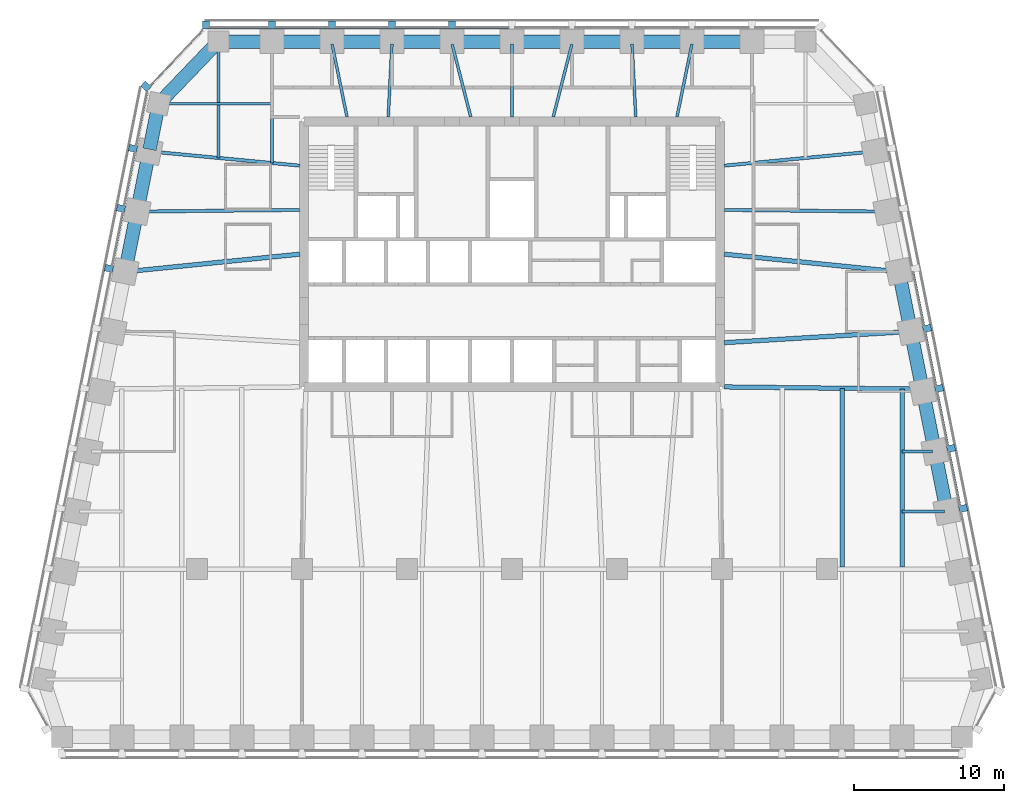
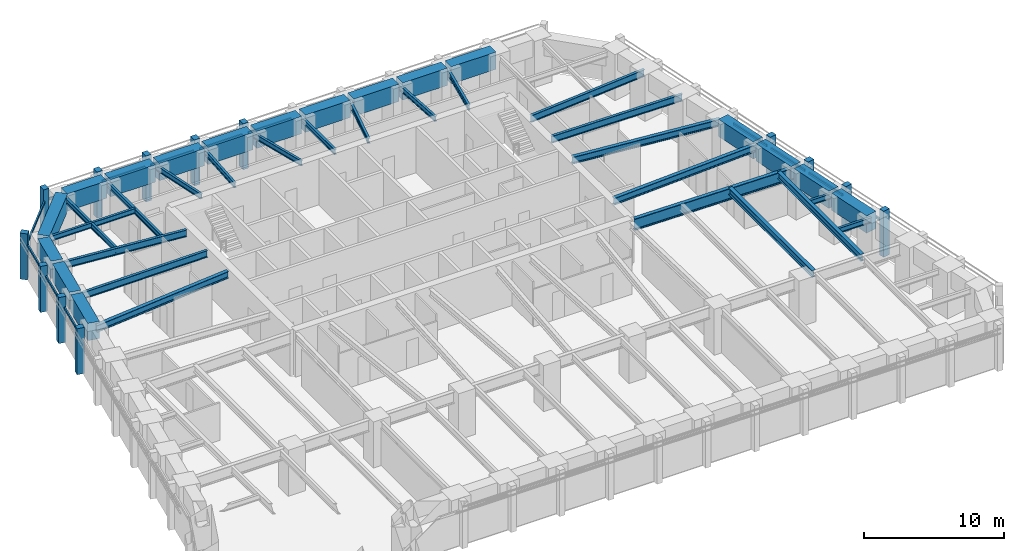
# One storey, part 3 of 10: 39 beams, 26 members, 4 elements without a shape of their own.
"""IFC4 building model written with IfcOpenShell, lengths in metres."""

from ifc_helpers import new_model, si_unit, direction, frame, origin, origin_2d, place, context, subcontext, project, spatial, rectangle, i_section, extrude, material, material_profile, profile_set, type_object, element, aggregate, save


model = new_model("IFC4")

# Units and contexts
model_context = context("Model", 3, precision=1e-05, world=origin(), true_north=direction((0.0, 1.0)))
body_context = subcontext(model_context, "Body", "Model", "MODEL_VIEW")
ifc_project = project(units=[si_unit("LENGTHUNIT", "METRE"), si_unit("AREAUNIT", "SQUARE_METRE"), si_unit("VOLUMEUNIT", "CUBIC_METRE"), si_unit("PLANEANGLEUNIT", "RADIAN"), si_unit("MASSUNIT", "GRAM", prefix="KILO")], contexts=[model_context])

# Site, building, storey
site_placement = place(None, origin())
site = spatial("IfcSite", under=ifc_project, at=site_placement, CompositionType="ELEMENT")
building_placement = place(site_placement, origin())
building = spatial("IfcBuilding", under=site, at=building_placement, Name="Isbrekke Arena Tower", CompositionType="ELEMENT")
storey_placement = place(building_placement, frame((0.0, 0.0, 214.0)))
storey = spatial("IfcBuildingStorey", under=building, at=storey_placement, Name="L49", CompositionType="ELEMENT", Elevation=214.0)

# Beams
ifc_material_1 = material(Name="Steel S355", Category="steel")
ifc_material_profile_1 = material_profile(ifc_material_1, i_section(OverallWidth=0.219970703125, OverallDepth=0.60009765625, WebThickness=0.011962890625, FlangeThickness=0.01904296875, FilletRadius=0.02392578125, at=origin_2d()), Name="IPE 600")
ifc_profile_set_1 = profile_set([ifc_material_profile_1], Name="Steel S355")
beam_type_1 = type_object("IfcBeamType", Name="B1 IPE 600", PredefinedType="BEAM", material=ifc_profile_set_1)
beam_1_placement = place(storey_placement, frame((24.83984375, 17.838134765625, 3.550048828125), z_axis=(-0.999945299061, 0.010459392202, 0.0), x_axis=(-0.010459392202, -0.999945299061, 0.0)))
element("IfcBeam", 1, at=beam_1_placement, inside=storey, type_object=beam_type_1, Name="B1 beam E-E09 L49", PredefinedType="BEAM", context=body_context, shape_type="SweptSolid", body=[
    extrude(i_section(OverallWidth=0.219970703125, OverallDepth=0.60009765625, WebThickness=0.011962890625, FlangeThickness=0.01904296875, FilletRadius=0.02392578125, at=origin_2d()), origin(), (0.0, 0.0, 1.0), 10.6904296875),
])
for number, where, z_axis, x_axis, name in (
    (2, (24.03076171875, 21.837158203125, 3.550048828125), (-0.99553133081, -0.094431823952, 0.0), (0.094431823952, -0.99553133081, 0.0), "B1 beam E-E10 L49"),
    (3, (-24.03076171875, 21.837158203125, 3.550048828125), (0.99553133081, -0.094431823952, 0.0), (0.094431823952, 0.99553133081, 0.0), "B1 beam E-W02 L49"),
):
    element("IfcBeam", number, at=place(storey_placement, frame(where, z_axis=z_axis, x_axis=x_axis)), inside=storey, type_object=beam_type_1, Name=name, PredefinedType="BEAM", context=body_context, shape_type="SweptSolid", body=[
        extrude(i_section(OverallWidth=0.219970703125, OverallDepth=0.60009765625, WebThickness=0.011962890625, FlangeThickness=0.01904296875, FilletRadius=0.02392578125, at=origin_2d()), origin(), (0.0, 0.0, 1.0), 9.92529296875),
    ])
beam_2_placement = place(storey_placement, frame((-24.83984375, 17.838134765625, 3.550048828125), z_axis=(0.999945299061, 0.010459392202, 0.0), x_axis=(-0.010459392202, 0.999945299061, 0.0)))
element("IfcBeam", 4, at=beam_2_placement, inside=storey, type_object=beam_type_1, Name="B1 beam E-W03 L49", PredefinedType="BEAM", context=body_context, shape_type="SweptSolid", body=[
    extrude(i_section(OverallWidth=0.219970703125, OverallDepth=0.60009765625, WebThickness=0.011962890625, FlangeThickness=0.01904296875, FilletRadius=0.02392578125, at=origin_2d()), origin(), (0.0, 0.0, 1.0), 10.6904296875),
])
ifc_material_2 = material(Name="Steel S355", Category="steel")
ifc_material_profile_2 = material_profile(ifc_material_2, i_section(OverallWidth=0.18994140625, OverallDepth=0.449951171875, WebThickness=0.009521484375, FlangeThickness=0.0146484375, FilletRadius=0.02099609375, at=origin_2d()), Name="IPE 450")
ifc_profile_set_2 = profile_set([ifc_material_profile_2], Name="Steel S355")
beam_type_2 = type_object("IfcBeamType", Name="B2 IPE 450", PredefinedType="BEAM", material=ifc_profile_set_2)
beam_3_placement = place(storey_placement, frame((28.841064453125, -2.161865234375, 3.625), z_axis=(-1.0, 0.0, 0.0), x_axis=(0.0, -1.0, 0.0)))
element("IfcBeam", 5, at=beam_3_placement, inside=storey, type_object=beam_type_2, Name="B2 beam E-E04 L49", PredefinedType="BEAM", context=body_context, shape_type="SweptSolid", body=[
    extrude(i_section(OverallWidth=0.18994140625, OverallDepth=0.449951171875, WebThickness=0.009521484375, FlangeThickness=0.0146484375, FilletRadius=0.02099609375, at=origin_2d()), origin(), (0.0, 0.0, 1.0), 2.841064453125),
])
beam_4_placement = place(storey_placement, frame((28.041015625, 1.838134765625, 3.625), z_axis=(-1.0, 0.0, 0.0), x_axis=(0.0, -1.0, 0.0)))
element("IfcBeam", 6, at=beam_4_placement, inside=storey, type_object=beam_type_2, Name="B2 beam E-E05 L49", PredefinedType="BEAM", context=body_context, shape_type="SweptSolid", body=[
    extrude(i_section(OverallWidth=0.18994140625, OverallDepth=0.449951171875, WebThickness=0.009521484375, FlangeThickness=0.0146484375, FilletRadius=0.02099609375, at=origin_2d()), origin(), (0.0, 0.0, 1.0), 2.041015625),
])
beam_5_placement = place(storey_placement, frame((-23.40283203125, 25.029296875, 3.625), z_axis=(1.0, 0.0, 0.0), x_axis=(0.0, 1.0, 0.0)))
element("IfcBeam", 7, at=beam_5_placement, inside=storey, type_object=beam_type_2, Name="B2 beam E-W01 L49", PredefinedType="BEAM", context=body_context, shape_type="SweptSolid", body=[
    extrude(i_section(OverallWidth=0.18994140625, OverallDepth=0.449951171875, WebThickness=0.009521484375, FlangeThickness=0.0146484375, FilletRadius=0.02099609375, at=origin_2d()), origin(), (0.0, 0.0, 1.0), 7.40283203125),
])
ifc_material_3 = material(Name="Steel S355", Category="steel")
ifc_material_profile_3 = material_profile(ifc_material_3, i_section(OverallWidth=0.18994140625, OverallDepth=0.449951171875, WebThickness=0.009521484375, FlangeThickness=0.0146484375, FilletRadius=0.02099609375, at=origin_2d()), Name="IPE 450")
ifc_profile_set_3 = profile_set([ifc_material_profile_3], Name="Steel S355")
beam_type_3 = type_object("IfcBeamType", Name="B3 IPE 450", PredefinedType="BEAM", material=ifc_profile_set_3)
beam_6_placement = place(storey_placement, frame((-16.0, 29.02490234375, 3.625), z_axis=(0.0, -1.0, 0.0), x_axis=(1.0, 0.0, 0.0)))
element("IfcBeam", 8, at=beam_6_placement, inside=storey, type_object=beam_type_3, Name="B3 beam N-N10 L49", PredefinedType="BEAM", context=body_context, shape_type="SweptSolid", body=[
    extrude(i_section(OverallWidth=0.18994140625, OverallDepth=0.449951171875, WebThickness=0.009521484375, FlangeThickness=0.0146484375, FilletRadius=0.02099609375, at=origin_2d()), origin(), (0.0, 0.0, 1.0), 7.949462890625),
])
beam_7_placement = place(storey_placement, frame((-19.574951171875, 29.02490234375, 3.625), z_axis=(0.0, -1.0, 0.0), x_axis=(1.0, 0.0, 0.0)))
element("IfcBeam", 9, at=beam_7_placement, inside=storey, type_object=beam_type_3, Name="B3 beam N-N11 L49", PredefinedType="BEAM", context=body_context, shape_type="SweptSolid", body=[
    extrude(i_section(OverallWidth=0.18994140625, OverallDepth=0.449951171875, WebThickness=0.009521484375, FlangeThickness=0.0146484375, FilletRadius=0.02099609375, at=origin_2d()), origin(), (0.0, 0.0, 1.0), 7.6103515625),
])
beam_8_placement = place(storey_placement, frame((11.99609375, 29.00634765625, 3.625), z_axis=(-0.200924755878, -0.979606677435, 0.0), x_axis=(0.979606677435, -0.200924755878, 0.0)))
element("IfcBeam", 10, at=beam_8_placement, inside=storey, type_object=beam_type_3, Name="B3 beam N-N03 L49", PredefinedType="BEAM", context=body_context, shape_type="SweptSolid", body=[
    extrude(i_section(OverallWidth=0.18994140625, OverallDepth=0.449951171875, WebThickness=0.009521484375, FlangeThickness=0.0146484375, FilletRadius=0.02099609375, at=origin_2d()), origin(), (0.0, 0.0, 1.0), 4.95751953125),
])
beam_9_placement = place(storey_placement, frame((8.000244140625, 29.02001953125, 3.625), z_axis=(0.051216032312, -0.998687597817, 0.0), x_axis=(0.998687597817, 0.051216032312, 0.0)))
element("IfcBeam", 11, at=beam_9_placement, inside=storey, type_object=beam_type_3, Name="B3 beam N-N04 L49", PredefinedType="BEAM", context=body_context, shape_type="SweptSolid", body=[
    extrude(i_section(OverallWidth=0.18994140625, OverallDepth=0.449951171875, WebThickness=0.009521484375, FlangeThickness=0.0146484375, FilletRadius=0.02099609375, at=origin_2d()), origin(), (0.0, 0.0, 1.0), 4.87646484375),
])
beam_10_placement = place(storey_placement, frame((3.994140625, 29.002197265625, 3.625), z_axis=(-0.248368314686, -0.968665670012, 0.0), x_axis=(0.968665670012, -0.248368314686, 0.0)))
element("IfcBeam", 12, at=beam_10_placement, inside=storey, type_object=beam_type_3, Name="B3 beam N-N05 L49", PredefinedType="BEAM", context=body_context, shape_type="SweptSolid", body=[
    extrude(i_section(OverallWidth=0.18994140625, OverallDepth=0.449951171875, WebThickness=0.009521484375, FlangeThickness=0.0146484375, FilletRadius=0.02099609375, at=origin_2d()), origin(), (0.0, 0.0, 1.0), 5.00927734375),
])
beam_11_placement = place(storey_placement, frame((0.0, 29.02490234375, 3.625), z_axis=(0.0, -1.0, 0.0), x_axis=(1.0, 0.0, 0.0)))
element("IfcBeam", 13, at=beam_11_placement, inside=storey, type_object=beam_type_3, Name="B3 beam N-N06 L49", PredefinedType="BEAM", context=body_context, shape_type="SweptSolid", body=[
    extrude(i_section(OverallWidth=0.18994140625, OverallDepth=0.449951171875, WebThickness=0.009521484375, FlangeThickness=0.0146484375, FilletRadius=0.02099609375, at=origin_2d()), origin(), (0.0, 0.0, 1.0), 4.875),
])
beam_12_placement = place(storey_placement, frame((-3.994140625, 29.002197265625, 3.625), z_axis=(0.248368314686, -0.968665670012, 0.0), x_axis=(0.968665670012, 0.248368314686, 0.0)))
element("IfcBeam", 14, at=beam_12_placement, inside=storey, type_object=beam_type_3, Name="B3 beam N-N07 L49", PredefinedType="BEAM", context=body_context, shape_type="SweptSolid", body=[
    extrude(i_section(OverallWidth=0.18994140625, OverallDepth=0.449951171875, WebThickness=0.009521484375, FlangeThickness=0.0146484375, FilletRadius=0.02099609375, at=origin_2d()), origin(), (0.0, 0.0, 1.0), 5.00927734375),
])
beam_13_placement = place(storey_placement, frame((-8.000244140625, 29.02001953125, 3.625), z_axis=(-0.051216032312, -0.998687597817, 0.0), x_axis=(0.998687597817, -0.051216032312, 0.0)))
element("IfcBeam", 15, at=beam_13_placement, inside=storey, type_object=beam_type_3, Name="B3 beam N-N08 L49", PredefinedType="BEAM", context=body_context, shape_type="SweptSolid", body=[
    extrude(i_section(OverallWidth=0.18994140625, OverallDepth=0.449951171875, WebThickness=0.009521484375, FlangeThickness=0.0146484375, FilletRadius=0.02099609375, at=origin_2d()), origin(), (0.0, 0.0, 1.0), 4.87646484375),
])
beam_14_placement = place(storey_placement, frame((-11.99609375, 29.00634765625, 3.625), z_axis=(0.200924755878, -0.979606677435, 0.0), x_axis=(0.979606677435, 0.200924755878, 0.0)))
element("IfcBeam", 16, at=beam_14_placement, inside=storey, type_object=beam_type_3, Name="B3 beam N-N09 L49", PredefinedType="BEAM", context=body_context, shape_type="SweptSolid", body=[
    extrude(i_section(OverallWidth=0.18994140625, OverallDepth=0.449951171875, WebThickness=0.009521484375, FlangeThickness=0.0146484375, FilletRadius=0.02099609375, at=origin_2d()), origin(), (0.0, 0.0, 1.0), 4.95751953125),
])
ifc_material_4 = material(Name="Steel S355", Category="steel")
ifc_material_profile_4 = material_profile(ifc_material_4, i_section(OverallWidth=0.300048828125, OverallDepth=0.60009765625, WebThickness=0.015380859375, FlangeThickness=0.030029296875, FilletRadius=0.027099609375, at=origin_2d()), Name="HEB 600")
ifc_profile_set_4 = profile_set([ifc_material_profile_4], Name="Steel S355")
beam_type_4 = type_object("IfcBeamType", Name="B7 HEB 600", PredefinedType="BEAM", material=ifc_profile_set_4)
beam_15_placement = place(storey_placement, frame((22.0, -5.84912109375, 3.550048828125), z_axis=(0.0, 1.0, 0.0), x_axis=(-1.0, 0.0, 0.0)))
element("IfcBeam", 17, at=beam_15_placement, inside=storey, type_object=beam_type_4, Name="B7 beam C-M13 L49", PredefinedType="BEAM", context=body_context, shape_type="SweptSolid", body=[
    extrude(i_section(OverallWidth=0.300048828125, OverallDepth=0.60009765625, WebThickness=0.015380859375, FlangeThickness=0.030029296875, FilletRadius=0.027099609375, at=origin_2d()), origin(), (0.0, 0.0, 1.0), 11.91015625),
])
beam_16_placement = place(storey_placement, frame((26.0, -5.84912109375, 3.550048828125), z_axis=(0.0, 1.0, 0.0), x_axis=(-1.0, 0.0, 0.0)))
element("IfcBeam", 18, at=beam_16_placement, inside=storey, type_object=beam_type_4, Name="B7 beam C-M14 L49", PredefinedType="BEAM", context=body_context, shape_type="SweptSolid", body=[
    extrude(i_section(OverallWidth=0.300048828125, OverallDepth=0.60009765625, WebThickness=0.015380859375, FlangeThickness=0.030029296875, FilletRadius=0.027099609375, at=origin_2d()), origin(), (0.0, 0.0, 1.0), 11.864990234375),
])
beam_17_placement = place(storey_placement, frame((26.43212890625, 9.837646484375, 3.550048828125), z_axis=(-0.998201854902, -0.059942112659, 0.0), x_axis=(0.059942112659, -0.998201854902, 0.0)))
element("IfcBeam", 19, at=beam_17_placement, inside=storey, type_object=beam_type_4, Name="B7 beam E-E07 L49", PredefinedType="BEAM", context=body_context, shape_type="SweptSolid", body=[
    extrude(i_section(OverallWidth=0.300048828125, OverallDepth=0.60009765625, WebThickness=0.015380859375, FlangeThickness=0.030029296875, FilletRadius=0.027099609375, at=origin_2d()), origin(), (0.0, 0.0, 1.0), 12.304443359375),
])
for number, where, z_axis, x_axis, name in (
    (20, (25.6259765625, 13.83984375, 3.550048828125), (-0.994928891111, 0.100580821396, 0.0), (-0.100580821396, -0.994928891111, 0.0), "B7 beam E-E08 L49"),
    (21, (-25.6259765625, 13.83984375, 3.550048828125), (0.994928891111, 0.100580821396, 0.0), (-0.100580821396, 0.994928891111, 0.0), "B7 beam E-W04 L49"),
):
    element("IfcBeam", number, at=place(storey_placement, frame(where, z_axis=z_axis, x_axis=x_axis)), inside=storey, type_object=beam_type_4, Name=name, PredefinedType="BEAM", context=body_context, shape_type="SweptSolid", body=[
        extrude(i_section(OverallWidth=0.300048828125, OverallDepth=0.60009765625, WebThickness=0.015380859375, FlangeThickness=0.030029296875, FilletRadius=0.027099609375, at=origin_2d()), origin(), (0.0, 0.0, 1.0), 11.53466796875),
    ])

# Curtain wall, members
ifc_material_5 = material(Name="Glazed aluminium curtain wall", Category="aluminium")
curtain_wall_type = type_object("IfcCurtainWallType", Name="CWH TOWER CURTAIN WALL HIGH ZONE", PredefinedType="USERDEFINED", material=ifc_material_5)
curtain_wall_1_placement = place(storey_placement, origin())
curtain_wall_1 = element("IfcCurtainWall", 22, at=curtain_wall_1_placement, inside=storey, type_object=curtain_wall_type, Name="CWH curtain wall L49-E", ObjectType="TOWER CURTAIN WALL HIGH ZONE", PredefinedType="USERDEFINED")
ifc_material_6 = material(Name="Aluminium mullion, pale brick slip cladding", Category="masonry")
ifc_material_profile_5 = material_profile(ifc_material_6, rectangle(XDim=0.449951171875, YDim=0.550048828125, at=origin_2d()), Name="PIER 450X550")
ifc_profile_set_5 = profile_set([ifc_material_profile_5], Name="Aluminium mullion, pale brick slip cladding")
member_type_1 = type_object("IfcMemberType", Name="CWH-M PIER MULLION 450 x 550", PredefinedType="MULLION", material=ifc_profile_set_5)
member_1_placement = place(storey_placement, frame((30.069580078125, -1.946044921875, 0.0), z_axis=(0.0, 0.0, 1.0), x_axis=(-0.196116135138, 0.980580675691, 0.0)))
member_1 = element("IfcMember", 23, at=member_1_placement, type_object=member_type_1, Name="CWH-M mullion 3", PredefinedType="MULLION", context=body_context, shape_type="SweptSolid", body=[
    extrude(rectangle(XDim=0.449951171875, YDim=0.550048828125, at=origin_2d()), origin(), (0.0, 0.0, 1.0), 4.0),
])
member_2_placement = place(storey_placement, frame((29.269775390625, 2.053955078125, 0.0), z_axis=(0.0, 0.0, 1.0), x_axis=(-0.196116135138, 0.980580675691, 0.0)))
member_2 = element("IfcMember", 24, at=member_2_placement, type_object=member_type_1, Name="CWH-M mullion 4", PredefinedType="MULLION", context=body_context, shape_type="SweptSolid", body=[
    extrude(rectangle(XDim=0.449951171875, YDim=0.550048828125, at=origin_2d()), origin(), (0.0, 0.0, 1.0), 4.0),
])
member_3_placement = place(storey_placement, frame((28.4697265625, 6.053955078125, 0.0), z_axis=(0.0, 0.0, 1.0), x_axis=(-0.196116135138, 0.980580675691, 0.0)))
member_3 = element("IfcMember", 25, at=member_3_placement, type_object=member_type_1, Name="CWH-M mullion 5", PredefinedType="MULLION", context=body_context, shape_type="SweptSolid", body=[
    extrude(rectangle(XDim=0.449951171875, YDim=0.550048828125, at=origin_2d()), origin(), (0.0, 0.0, 1.0), 4.0),
])
member_4_placement = place(storey_placement, frame((27.669677734375, 10.053955078125, 0.0), z_axis=(0.0, 0.0, 1.0), x_axis=(-0.196116135138, 0.980580675691, 0.0)))
member_4 = element("IfcMember", 26, at=member_4_placement, type_object=member_type_1, Name="CWH-M mullion 6", PredefinedType="MULLION", context=body_context, shape_type="SweptSolid", body=[
    extrude(rectangle(XDim=0.449951171875, YDim=0.550048828125, at=origin_2d()), origin(), (0.0, 0.0, 1.0), 4.0),
])

curtain_wall_2_placement = place(storey_placement, origin())
curtain_wall_2 = element("IfcCurtainWall", 27, at=curtain_wall_2_placement, inside=storey, type_object=curtain_wall_type, Name="CWH curtain wall L49-N", ObjectType="TOWER CURTAIN WALL HIGH ZONE", PredefinedType="USERDEFINED")
member_5_placement = place(storey_placement, frame((-4.0, 30.27490234375, 0.0), z_axis=(0.0, 0.0, 1.0), x_axis=(-1.0, 0.0, 0.0)))
member_5 = element("IfcMember", 28, at=member_5_placement, type_object=member_type_1, Name="CWH-M mullion 6", PredefinedType="MULLION", context=body_context, shape_type="SweptSolid", body=[
    extrude(rectangle(XDim=0.449951171875, YDim=0.550048828125, at=origin_2d()), origin(), (0.0, 0.0, 1.0), 4.0),
])
member_6_placement = place(storey_placement, frame((-8.0, 30.27490234375, 0.0), z_axis=(0.0, 0.0, 1.0), x_axis=(-1.0, 0.0, 0.0)))
member_6 = element("IfcMember", 29, at=member_6_placement, type_object=member_type_1, Name="CWH-M mullion 7", PredefinedType="MULLION", context=body_context, shape_type="SweptSolid", body=[
    extrude(rectangle(XDim=0.449951171875, YDim=0.550048828125, at=origin_2d()), origin(), (0.0, 0.0, 1.0), 4.0),
])
member_7_placement = place(storey_placement, frame((-12.0, 30.27490234375, 0.0), z_axis=(0.0, 0.0, 1.0), x_axis=(-1.0, 0.0, 0.0)))
member_7 = element("IfcMember", 30, at=member_7_placement, type_object=member_type_1, Name="CWH-M mullion 8", PredefinedType="MULLION", context=body_context, shape_type="SweptSolid", body=[
    extrude(rectangle(XDim=0.449951171875, YDim=0.550048828125, at=origin_2d()), origin(), (0.0, 0.0, 1.0), 4.0),
])
member_8_placement = place(storey_placement, frame((-16.0, 30.27490234375, 0.0), z_axis=(0.0, 0.0, 1.0), x_axis=(-1.0, 0.0, 0.0)))
member_8 = element("IfcMember", 31, at=member_8_placement, type_object=member_type_1, Name="CWH-M mullion 9", PredefinedType="MULLION", context=body_context, shape_type="SweptSolid", body=[
    extrude(rectangle(XDim=0.449951171875, YDim=0.550048828125, at=origin_2d()), origin(), (0.0, 0.0, 1.0), 4.0),
])
member_9_placement = place(storey_placement, frame((-20.39990234375, 30.27490234375, 0.0), z_axis=(0.0, 0.0, 1.0), x_axis=(-1.0, 0.0, 0.0)))
member_9 = element("IfcMember", 32, at=member_9_placement, type_object=member_type_1, Name="CWH-M mullion 10", PredefinedType="MULLION", context=body_context, shape_type="SweptSolid", body=[
    extrude(rectangle(XDim=0.449951171875, YDim=0.550048828125, at=origin_2d()), origin(), (0.0, 0.0, 1.0), 4.0),
])

# Curtain wall, member
curtain_wall_3_placement = place(storey_placement, origin())
curtain_wall_3 = element("IfcCurtainWall", 33, at=curtain_wall_3_placement, inside=storey, type_object=curtain_wall_type, Name="CWH curtain wall L49-NW", ObjectType="TOWER CURTAIN WALL HIGH ZONE", PredefinedType="USERDEFINED")
member_10_placement = place(storey_placement, frame((-24.3994140625, 26.189453125, 0.0), z_axis=(0.0, 0.0, 1.0), x_axis=(-0.68874946192, -0.72499943359, 0.0)))
member_10 = element("IfcMember", 34, at=member_10_placement, type_object=member_type_1, Name="CWH-M mullion 1", PredefinedType="MULLION", context=body_context, shape_type="SweptSolid", body=[
    extrude(rectangle(XDim=0.449951171875, YDim=0.550048828125, at=origin_2d()), origin(), (0.0, 0.0, 1.0), 4.0),
])

# Curtain wall, members
curtain_wall_4_placement = place(storey_placement, origin())
curtain_wall_4 = element("IfcCurtainWall", 35, at=curtain_wall_4_placement, inside=storey, type_object=curtain_wall_type, Name="CWH curtain wall L49-W", ObjectType="TOWER CURTAIN WALL HIGH ZONE", PredefinedType="USERDEFINED")
member_11_placement = place(storey_placement, frame((-25.269775390625, 22.053955078125, 0.0), z_axis=(0.0, 0.0, 1.0), x_axis=(-0.196116135138, -0.980580675691, 0.0)))
member_11 = element("IfcMember", 36, at=member_11_placement, type_object=member_type_1, Name="CWH-M mullion 1", PredefinedType="MULLION", context=body_context, shape_type="SweptSolid", body=[
    extrude(rectangle(XDim=0.449951171875, YDim=0.550048828125, at=origin_2d()), origin(), (0.0, 0.0, 1.0), 4.0),
])
member_12_placement = place(storey_placement, frame((-26.069580078125, 18.053955078125, 0.0), z_axis=(0.0, 0.0, 1.0), x_axis=(-0.196116135138, -0.980580675691, 0.0)))
member_12 = element("IfcMember", 37, at=member_12_placement, type_object=member_type_1, Name="CWH-M mullion 2", PredefinedType="MULLION", context=body_context, shape_type="SweptSolid", body=[
    extrude(rectangle(XDim=0.449951171875, YDim=0.550048828125, at=origin_2d()), origin(), (0.0, 0.0, 1.0), 4.0),
])
member_13_placement = place(storey_placement, frame((-26.86962890625, 14.053955078125, 0.0), z_axis=(0.0, 0.0, 1.0), x_axis=(-0.196116135138, -0.980580675691, 0.0)))
member_13 = element("IfcMember", 38, at=member_13_placement, type_object=member_type_1, Name="CWH-M mullion 3", PredefinedType="MULLION", context=body_context, shape_type="SweptSolid", body=[
    extrude(rectangle(XDim=0.449951171875, YDim=0.550048828125, at=origin_2d()), origin(), (0.0, 0.0, 1.0), 4.0),
])

# Member
ifc_material_7 = material(Name="Aluminium transom", Category="aluminium")
ifc_material_profile_6 = material_profile(ifc_material_7, rectangle(XDim=0.1201171875, YDim=0.199951171875, at=origin_2d()), Name="TRANSOM 120X200")
ifc_profile_set_6 = profile_set([ifc_material_profile_6], Name="Aluminium transom")
member_type_2 = type_object("IfcMemberType", Name="CWH-T TRANSOM 120 x 200", PredefinedType="USERDEFINED", material=ifc_profile_set_6)
member_14_placement = place(storey_placement, frame((29.85400390625, -1.759765625, 3.0), z_axis=(-0.196154943734, 0.980572913173, 0.0), x_axis=(-0.980572913173, -0.196154943734, 0.0)))
member_14 = element("IfcMember", 39, at=member_14_placement, type_object=member_type_2, Name="CWH-T transom 4", ObjectType="TRANSOM", PredefinedType="USERDEFINED", context=body_context, shape_type="SweptSolid", body=[
    extrude(rectangle(XDim=0.1201171875, YDim=0.199951171875, at=origin_2d()), origin(), (0.0, 0.0, 1.0), 3.62939453125),
])

member_15_placement = place(storey_placement, frame((29.053955078125, 2.240234375, 3.0), z_axis=(-0.196090262229, 0.980585849918, 0.0), x_axis=(-0.980585849918, -0.196090262229, 0.0)))
member_15 = element("IfcMember", 40, at=member_15_placement, type_object=member_type_2, Name="CWH-T transom 5", ObjectType="TRANSOM", PredefinedType="USERDEFINED", context=body_context, shape_type="SweptSolid", body=[
    extrude(rectangle(XDim=0.1201171875, YDim=0.199951171875, at=origin_2d()), origin(), (0.0, 0.0, 1.0), 3.62939453125),
])

member_16_placement = place(storey_placement, frame((28.25390625, 6.240234375, 3.0), z_axis=(-0.196090262229, 0.980585849918, 0.0), x_axis=(-0.980585849918, -0.196090262229, 0.0)))
member_16 = element("IfcMember", 41, at=member_16_placement, type_object=member_type_2, Name="CWH-T transom 6", ObjectType="TRANSOM", PredefinedType="USERDEFINED", context=body_context, shape_type="SweptSolid", body=[
    extrude(rectangle(XDim=0.1201171875, YDim=0.199951171875, at=origin_2d()), origin(), (0.0, 0.0, 1.0), 3.62939453125),
])

member_17_placement = place(storey_placement, frame((27.453857421875, 10.240234375, 3.0), z_axis=(-0.196090262229, 0.980585849918, 0.0), x_axis=(-0.980585849918, -0.196090262229, 0.0)))
member_17 = element("IfcMember", 42, at=member_17_placement, type_object=member_type_2, Name="CWH-T transom 7", ObjectType="TRANSOM", PredefinedType="USERDEFINED", context=body_context, shape_type="SweptSolid", body=[
    extrude(rectangle(XDim=0.1201171875, YDim=0.199951171875, at=origin_2d()), origin(), (0.0, 0.0, 1.0), 3.62939453125),
])

aggregate(curtain_wall_1, [member_1, member_2, member_3, member_4, member_14, member_15, member_16, member_17])

member_18_placement = place(storey_placement, frame((-0.22509765625, 30.10009765625, 3.0), z_axis=(-1.0, 0.0, 0.0), x_axis=(0.0, -1.0, 0.0)))
member_18 = element("IfcMember", 43, at=member_18_placement, type_object=member_type_2, Name="CWH-T transom 6", ObjectType="TRANSOM", PredefinedType="USERDEFINED", context=body_context, shape_type="SweptSolid", body=[
    extrude(rectangle(XDim=0.1201171875, YDim=0.199951171875, at=origin_2d()), origin(), (0.0, 0.0, 1.0), 3.5498046875),
])

member_19_placement = place(storey_placement, frame((-4.22509765625, 30.10009765625, 3.0), z_axis=(-1.0, 0.0, 0.0), x_axis=(0.0, -1.0, 0.0)))
member_19 = element("IfcMember", 44, at=member_19_placement, type_object=member_type_2, Name="CWH-T transom 7", ObjectType="TRANSOM", PredefinedType="USERDEFINED", context=body_context, shape_type="SweptSolid", body=[
    extrude(rectangle(XDim=0.1201171875, YDim=0.199951171875, at=origin_2d()), origin(), (0.0, 0.0, 1.0), 3.5498046875),
])

member_20_placement = place(storey_placement, frame((-8.22509765625, 30.10009765625, 3.0), z_axis=(-1.0, 0.0, 0.0), x_axis=(0.0, -1.0, 0.0)))
member_20 = element("IfcMember", 45, at=member_20_placement, type_object=member_type_2, Name="CWH-T transom 8", ObjectType="TRANSOM", PredefinedType="USERDEFINED", context=body_context, shape_type="SweptSolid", body=[
    extrude(rectangle(XDim=0.1201171875, YDim=0.199951171875, at=origin_2d()), origin(), (0.0, 0.0, 1.0), 3.5498046875),
])

member_21_placement = place(storey_placement, frame((-12.22509765625, 30.10009765625, 3.0), z_axis=(-1.0, 0.0, 0.0), x_axis=(0.0, -1.0, 0.0)))
member_21 = element("IfcMember", 46, at=member_21_placement, type_object=member_type_2, Name="CWH-T transom 9", ObjectType="TRANSOM", PredefinedType="USERDEFINED", context=body_context, shape_type="SweptSolid", body=[
    extrude(rectangle(XDim=0.1201171875, YDim=0.199951171875, at=origin_2d()), origin(), (0.0, 0.0, 1.0), 3.5498046875),
])

member_22_placement = place(storey_placement, frame((-16.22509765625, 30.10009765625, 3.0), z_axis=(-1.0, 0.0, 0.0), x_axis=(0.0, -1.0, 0.0)))
member_22 = element("IfcMember", 47, at=member_22_placement, type_object=member_type_2, Name="CWH-T transom 10", ObjectType="TRANSOM", PredefinedType="USERDEFINED", context=body_context, shape_type="SweptSolid", body=[
    extrude(rectangle(XDim=0.1201171875, YDim=0.199951171875, at=origin_2d()), origin(), (0.0, 0.0, 1.0), 3.949951171875),
])

aggregate(curtain_wall_2, [member_5, member_6, member_7, member_8, member_9, member_18, member_19, member_20, member_21, member_22])

member_23_placement = place(storey_placement, frame((-20.62744140625, 29.90576171875, 3.0), z_axis=(-0.688734266994, -0.725013868466, 0.0), x_axis=(0.725013868466, -0.688734266994, 0.0)))
member_23 = element("IfcMember", 48, at=member_23_placement, type_object=member_type_2, Name="CWH-T transom 1", ObjectType="TRANSOM", PredefinedType="USERDEFINED", context=body_context, shape_type="SweptSolid", body=[
    extrude(rectangle(XDim=0.1201171875, YDim=0.199951171875, at=origin_2d()), origin(), (0.0, 0.0, 1.0), 5.067138671875),
])

aggregate(curtain_wall_3, [member_10, member_23])

member_24_placement = place(storey_placement, frame((-24.34228515625, 25.799072265625, 3.0), z_axis=(-0.196090262229, -0.980585849918, 0.0), x_axis=(0.980585849918, -0.196090262229, 0.0)))
member_24 = element("IfcMember", 49, at=member_24_placement, type_object=member_type_2, Name="CWH-T transom 1", ObjectType="TRANSOM", PredefinedType="USERDEFINED", context=body_context, shape_type="SweptSolid", body=[
    extrude(rectangle(XDim=0.1201171875, YDim=0.199951171875, at=origin_2d()), origin(), (0.0, 0.0, 1.0), 3.62939453125),
])

member_25_placement = place(storey_placement, frame((-25.14208984375, 21.799072265625, 3.0), z_axis=(-0.196154943734, -0.980572913173, 0.0), x_axis=(0.980572913173, -0.196154943734, 0.0)))
member_25 = element("IfcMember", 50, at=member_25_placement, type_object=member_type_2, Name="CWH-T transom 2", ObjectType="TRANSOM", PredefinedType="USERDEFINED", context=body_context, shape_type="SweptSolid", body=[
    extrude(rectangle(XDim=0.1201171875, YDim=0.199951171875, at=origin_2d()), origin(), (0.0, 0.0, 1.0), 3.62939453125),
])

member_26_placement = place(storey_placement, frame((-25.942138671875, 17.799072265625, 3.0), z_axis=(-0.196154943734, -0.980572913173, 0.0), x_axis=(0.980572913173, -0.196154943734, 0.0)))
member_26 = element("IfcMember", 51, at=member_26_placement, type_object=member_type_2, Name="CWH-T transom 3", ObjectType="TRANSOM", PredefinedType="USERDEFINED", context=body_context, shape_type="SweptSolid", body=[
    extrude(rectangle(XDim=0.1201171875, YDim=0.199951171875, at=origin_2d()), origin(), (0.0, 0.0, 1.0), 3.62939453125),
])

aggregate(curtain_wall_4, [member_11, member_12, member_13, member_24, member_25, member_26])

# Beams
ifc_material_8 = material(Name="Steel S355", Category="steel")
ifc_material_profile_7 = material_profile(ifc_material_8, i_section(OverallWidth=0.302001953125, OverallDepth=1.008056640625, WebThickness=0.02099609375, FlangeThickness=0.0400390625, FilletRadius=0.030029296875, at=origin_2d()), Name="HEM 1000")
ifc_profile_set_7 = profile_set([ifc_material_profile_7], Name="Steel S355")
beam_type_5 = type_object("IfcBeamType", Name="G2 HEM 1000", PredefinedType="BEAM", material=ifc_profile_set_7)
beam_18_placement = place(storey_placement, frame((14.14990234375, 6.14990234375, 3.345947265625), z_axis=(0.999935908299, -0.011321629528, 0.0), x_axis=(0.011321629528, 0.999935908299, 0.0)))
element("IfcBeam", 52, at=beam_18_placement, inside=storey, type_object=beam_type_5, Name="G2 beam G2-E L49", PredefinedType="BEAM", context=body_context, shape_type="SweptSolid", body=[
    extrude(i_section(OverallWidth=0.302001953125, OverallDepth=1.008056640625, WebThickness=0.02099609375, FlangeThickness=0.0400390625, FilletRadius=0.030029296875, at=origin_2d()), origin(), (0.0, 0.0, 1.0), 13.240234375),
])
ifc_material_9 = material(Name="Concrete B65 (C65/80)", Category="concrete")
ifc_material_profile_8 = material_profile(ifc_material_9, rectangle(XDim=0.89990234375, YDim=1.5, at=origin_2d()), Name="RC 900x1500")
ifc_profile_set_8 = profile_set([ifc_material_profile_8], Name="Concrete B65 (C65/80)")
beam_type_6 = type_object("IfcBeamType", Name="SB3 RC 900 x 1500", PredefinedType="SPANDREL", material=ifc_profile_set_8)
for number, where, z_axis, x_axis, name in (
    (53, (28.961669921875, -2.0146484375, 3.25), (-0.196128558387, 0.980578190959, 0.0), (-0.980578190959, -0.196128558387, 0.0), "SB3 spandrel E04-E05 L49"),
    (54, (28.16162109375, 1.9853515625, 3.25), (-0.196128558387, 0.980578190959, 0.0), (-0.980578190959, -0.196128558387, 0.0), "SB3 spandrel E05-E06 L49"),
    (55, (27.361572265625, 5.9853515625, 3.25), (-0.196128558387, 0.980578190959, 0.0), (-0.980578190959, -0.196128558387, 0.0), "SB3 spandrel E06-E07 L49"),
):
    element("IfcBeam", number, at=place(storey_placement, frame(where, z_axis=z_axis, x_axis=x_axis)), inside=storey, type_object=beam_type_6, Name=name, PredefinedType="SPANDREL", context=body_context, shape_type="SweptSolid", body=[
        extrude(rectangle(XDim=0.89990234375, YDim=1.5, at=origin_2d()), origin(), (0.0, 0.0, 1.0), 3.779296875),
    ])
beam_19_placement = place(storey_placement, frame((26.5615234375, 9.9853515625, 3.25), z_axis=(-0.1960664412, 0.980590613169, 0.0), x_axis=(-0.980590613169, -0.1960664412, 0.0)))
element("IfcBeam", 56, at=beam_19_placement, inside=storey, type_object=beam_type_6, Name="SB3 spandrel E07-E08 L49", PredefinedType="SPANDREL", context=body_context, shape_type="SweptSolid", body=[
    extrude(rectangle(XDim=0.89990234375, YDim=1.5, at=origin_2d()), origin(), (0.0, 0.0, 1.0), 3.779052734375),
])
for number, where, z_axis, x_axis, name in (
    (57, (15.85009765625, 29.175048828125, 3.25), (-1.0, 0.0, 0.0), (0.0, -1.0, 0.0), "SB3 spandrel N02-N03 L49"),
    (58, (11.85009765625, 29.175048828125, 3.25), (-1.0, 0.0, 0.0), (0.0, -1.0, 0.0), "SB3 spandrel N03-N04 L49"),
    (59, (7.85009765625, 29.175048828125, 3.25), (-1.0, 0.0, 0.0), (0.0, -1.0, 0.0), "SB3 spandrel N04-N05 L49"),
    (60, (3.85009765625, 29.175048828125, 3.25), (-1.0, 0.0, 0.0), (0.0, -1.0, 0.0), "SB3 spandrel N05-N06 L49"),
    (61, (-0.14990234375, 29.175048828125, 3.25), (-1.0, 0.0, 0.0), (0.0, -1.0, 0.0), "SB3 spandrel N06-N07 L49"),
    (62, (-4.14990234375, 29.175048828125, 3.25), (-1.0, 0.0, 0.0), (0.0, -1.0, 0.0), "SB3 spandrel N07-N08 L49"),
    (63, (-8.14990234375, 29.175048828125, 3.25), (-1.0, 0.0, 0.0), (0.0, -1.0, 0.0), "SB3 spandrel N08-N09 L49"),
    (64, (-12.14990234375, 29.175048828125, 3.25), (-1.0, 0.0, 0.0), (0.0, -1.0, 0.0), "SB3 spandrel N09-N10 L49"),
):
    element("IfcBeam", number, at=place(storey_placement, frame(where, z_axis=z_axis, x_axis=x_axis)), inside=storey, type_object=beam_type_6, Name=name, PredefinedType="SPANDREL", context=body_context, shape_type="SweptSolid", body=[
        extrude(rectangle(XDim=0.89990234375, YDim=1.5, at=origin_2d()), origin(), (0.0, 0.0, 1.0), 3.7001953125),
    ])
beam_20_placement = place(storey_placement, frame((-16.14990234375, 29.175048828125, 3.25), z_axis=(-1.0, 0.0, 0.0), x_axis=(0.0, -1.0, 0.0)))
element("IfcBeam", 65, at=beam_20_placement, inside=storey, type_object=beam_type_6, Name="SB3 spandrel N10-N11 L49", PredefinedType="SPANDREL", context=body_context, shape_type="SweptSolid", body=[
    extrude(rectangle(XDim=0.89990234375, YDim=1.5, at=origin_2d()), origin(), (0.0, 0.0, 1.0), 3.275146484375),
])
beam_21_placement = place(storey_placement, frame((-19.678955078125, 29.066650390625, 3.25), z_axis=(-0.692339547635, -0.721571861134, 0.0), x_axis=(0.721571861134, -0.692339547635, 0.0)))
element("IfcBeam", 66, at=beam_21_placement, inside=storey, type_object=beam_type_6, Name="SB3 spandrel N11-W01 L49", PredefinedType="SPANDREL", context=body_context, shape_type="SweptSolid", body=[
    extrude(rectangle(XDim=0.89990234375, YDim=1.5, at=origin_2d()), origin(), (0.0, 0.0, 1.0), 5.4453125),
])
beam_22_placement = place(storey_placement, frame((-23.582275390625, 24.882080078125, 3.25), z_axis=(-0.196116135138, -0.980580675691, 0.0), x_axis=(0.980580675691, -0.196116135138, 0.0)))
element("IfcBeam", 67, at=beam_22_placement, inside=storey, type_object=beam_type_6, Name="SB3 spandrel W01-W02 L49", PredefinedType="SPANDREL", context=body_context, shape_type="SweptSolid", body=[
    extrude(rectangle(XDim=0.89990234375, YDim=1.5, at=origin_2d()), origin(), (0.0, 0.0, 1.0), 2.9541015625),
])
for number, where, z_axis, x_axis, name in (
    (68, (-24.220458984375, 21.691162109375, 3.25), (-0.196128558387, -0.980578190959, 0.0), (0.980578190959, -0.196128558387, 0.0), "SB3 spandrel W02-W03 L49"),
    (69, (-25.0205078125, 17.691162109375, 3.25), (-0.196128558387, -0.980578190959, 0.0), (0.980578190959, -0.196128558387, 0.0), "SB3 spandrel W03-W04 L49"),
):
    element("IfcBeam", number, at=place(storey_placement, frame(where, z_axis=z_axis, x_axis=x_axis)), inside=storey, type_object=beam_type_6, Name=name, PredefinedType="SPANDREL", context=body_context, shape_type="SweptSolid", body=[
        extrude(rectangle(XDim=0.89990234375, YDim=1.5, at=origin_2d()), origin(), (0.0, 0.0, 1.0), 3.779296875),
    ])

save(model, "model.ifc")
